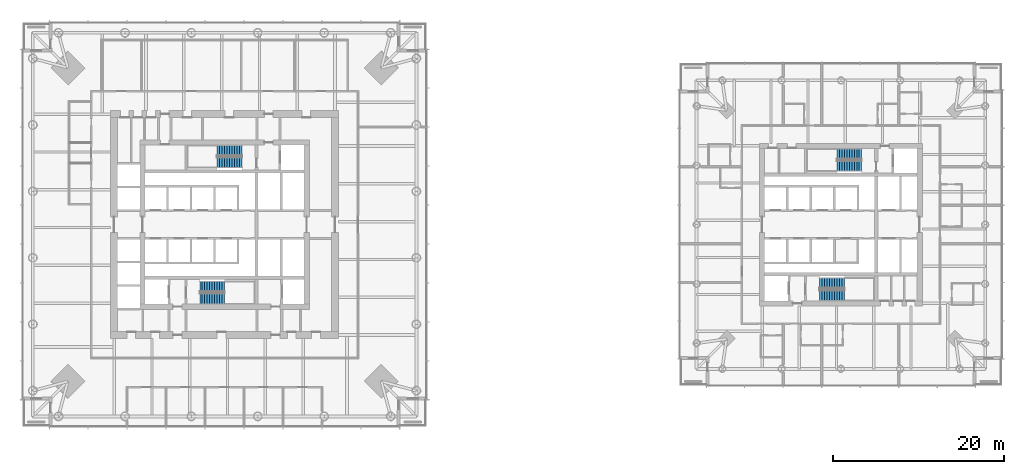
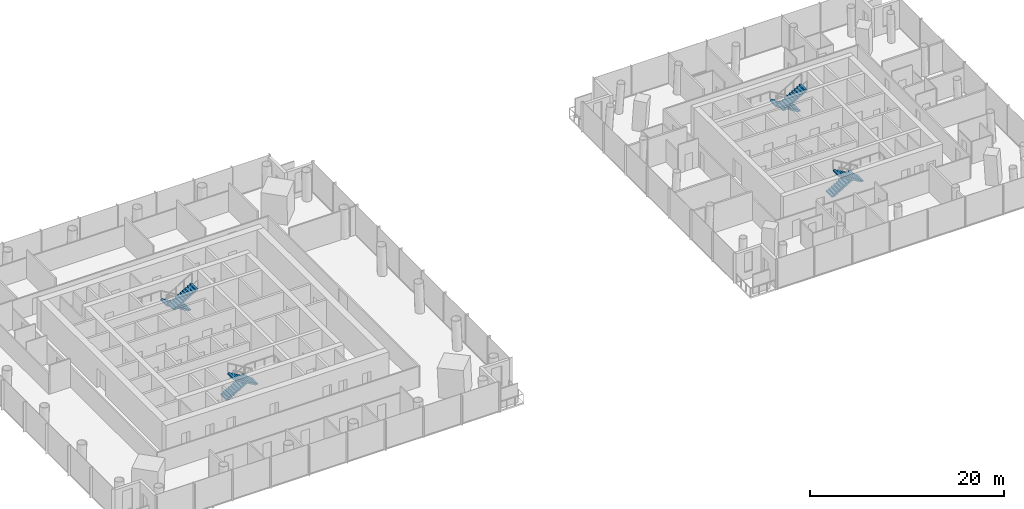
# One storey, part 16 of 18: 8 stair flights, 4 elements without a shape of their own.
"""IFC4 building model written with IfcOpenShell, lengths in metres."""

from ifc_helpers import new_model, si_unit, direction, frame, origin, place, context, subcontext, project, spatial, polyline, outline, extrude, material, type_object, element, aggregate, save


model = new_model("IFC4")

# Units and contexts
model_context = context("Model", 3, precision=1e-05, world=origin(), true_north=direction((0.0, 1.0)))
body_context = subcontext(model_context, "Body", "Model", "MODEL_VIEW")
ifc_project = project(units=[si_unit("LENGTHUNIT", "METRE"), si_unit("AREAUNIT", "SQUARE_METRE"), si_unit("VOLUMEUNIT", "CUBIC_METRE"), si_unit("PLANEANGLEUNIT", "RADIAN"), si_unit("MASSUNIT", "GRAM", prefix="KILO")], contexts=[model_context])

# Site, building, storey
site_placement = place(None, origin())
site = spatial("IfcSite", under=ifc_project, at=site_placement, CompositionType="ELEMENT")
building_placement = place(site_placement, origin())
building = spatial("IfcBuilding", under=site, at=building_placement, Name="Ostroluk Exchange", CompositionType="ELEMENT")
storey_placement = place(building_placement, frame((0.0, 0.0, 70.39990234375)))
storey = spatial("IfcBuildingStorey", under=building, at=storey_placement, Name="L17", CompositionType="ELEMENT", Elevation=70.39990234375)

# Stair, stair flights
ifc_material_1 = material(Name="Concrete C30/37", Category="concrete")
stair_type = type_object("IfcStairType", Name="Exit stair half turn 3800", PredefinedType="HALF_TURN_STAIR", material=ifc_material_1)
stair_1_placement = place(storey_placement, origin())
stair_1 = element("IfcStair", 1, at=stair_1_placement, inside=storey, type_object=stair_type, Name="Stair T1-S1 L17", PredefinedType="HALF_TURN_STAIR")
ifc_material_2 = material(Name="Concrete C30/37", Category="concrete")
stair_flight_type = type_object("IfcStairFlightType", Name="Stair flight 11 risers 172.7 x 290", PredefinedType="STRAIGHT", material=ifc_material_2)
stair_flight_1_placement = place(storey_placement, frame((42.10009765625, 38.77490234375, 0.0), z_axis=(0.0, 0.0, 1.0), x_axis=(1.0, 0.0, 0.0)))
stair_flight_1 = element("IfcStairFlight", 2, at=stair_flight_1_placement, type_object=stair_flight_type, Name="T1-S1 flight 1", NumberOfRisers=11, NumberOfTreads=10, PredefinedType="STRAIGHT", RiserHeight=0.172727273, TreadLength=0.29, context=body_context, shape_type="SweptSolid", body=[
    extrude(outline(polyline([(0.0, 0.0), (0.0, 0.172607421875), (0.2900390625, 0.172607421875), (0.2900390625, 0.345458984375), (0.580078125, 0.345458984375), (0.580078125, 0.51806640625), (0.8701171875, 0.51806640625), (0.8701171875, 0.69091796875), (1.159912109375, 0.69091796875), (1.159912109375, 0.863525390625), (1.449951171875, 0.863525390625), (1.449951171875, 1.036376953125), (1.739990234375, 1.036376953125), (1.739990234375, 1.208984375), (2.030029296875, 1.208984375), (2.030029296875, 1.3818359375), (2.320068359375, 1.3818359375), (2.320068359375, 1.554443359375), (2.610107421875, 1.554443359375), (2.610107421875, 1.727294921875), (2.89990234375, 1.727294921875), (2.89990234375, 1.89990234375), (2.89990234375, 1.552734375), (0.29296875, 0.0), (0.0, 0.0)])), frame((0.0, 0.625, 0.0), z_axis=(0.0, -1.0, 0.0), x_axis=(1.0, 0.0, 0.0)), (0.0, 0.0, 1.0), 1.25),
])
stair_flight_2_placement = place(storey_placement, frame((45.0, 37.324951171875, 1.900146484375), z_axis=(0.0, 0.0, 1.0), x_axis=(-1.0, 0.0, 0.0)))
stair_flight_2 = element("IfcStairFlight", 3, at=stair_flight_2_placement, type_object=stair_flight_type, Name="T1-S1 flight 2", NumberOfRisers=11, NumberOfTreads=10, PredefinedType="STRAIGHT", RiserHeight=0.172727273, TreadLength=0.29, context=body_context, shape_type="SweptSolid", body=[
    extrude(outline(polyline([(0.0, 0.0), (0.0, 0.172607421875), (0.2900390625, 0.172607421875), (0.2900390625, 0.345458984375), (0.580078125, 0.345458984375), (0.580078125, 0.51806640625), (0.8701171875, 0.51806640625), (0.8701171875, 0.69091796875), (1.159912109375, 0.69091796875), (1.159912109375, 0.863525390625), (1.449951171875, 0.863525390625), (1.449951171875, 1.036376953125), (1.739990234375, 1.036376953125), (1.739990234375, 1.208984375), (2.030029296875, 1.208984375), (2.030029296875, 1.3818359375), (2.320068359375, 1.3818359375), (2.320068359375, 1.554443359375), (2.610107421875, 1.554443359375), (2.610107421875, 1.727294921875), (2.89990234375, 1.727294921875), (2.89990234375, 1.89990234375), (2.89990234375, 1.552734375), (0.29296875, 0.0), (0.0, 0.0)])), frame((0.0, 0.625, 0.0), z_axis=(0.0, -1.0, 0.0), x_axis=(1.0, 0.0, 0.0)), (0.0, 0.0, 1.0), 1.25),
])
aggregate(stair_1, [stair_flight_1, stair_flight_2])

stair_2_placement = place(storey_placement, origin())
stair_2 = element("IfcStair", 4, at=stair_2_placement, inside=storey, type_object=stair_type, Name="Stair T1-S2 L17", PredefinedType="HALF_TURN_STAIR")
stair_flight_3_placement = place(storey_placement, frame((47.030029296875, 54.675048828125, 0.0), z_axis=(0.0, 0.0, 1.0), x_axis=(-1.0, 0.0, 0.0)))
stair_flight_3 = element("IfcStairFlight", 5, at=stair_flight_3_placement, type_object=stair_flight_type, Name="T1-S2 flight 1", NumberOfRisers=11, NumberOfTreads=10, PredefinedType="STRAIGHT", RiserHeight=0.172727273, TreadLength=0.29, context=body_context, shape_type="SweptSolid", body=[
    extrude(outline(polyline([(0.0, 0.0), (0.0, 0.172607421875), (0.2900390625, 0.172607421875), (0.2900390625, 0.345458984375), (0.580078125, 0.345458984375), (0.580078125, 0.51806640625), (0.8701171875, 0.51806640625), (0.8701171875, 0.69091796875), (1.159912109375, 0.69091796875), (1.159912109375, 0.863525390625), (1.449951171875, 0.863525390625), (1.449951171875, 1.036376953125), (1.739990234375, 1.036376953125), (1.739990234375, 1.208984375), (2.030029296875, 1.208984375), (2.030029296875, 1.3818359375), (2.320068359375, 1.3818359375), (2.320068359375, 1.554443359375), (2.610107421875, 1.554443359375), (2.610107421875, 1.727294921875), (2.89990234375, 1.727294921875), (2.89990234375, 1.89990234375), (2.89990234375, 1.552734375), (0.29296875, 0.0), (0.0, 0.0)])), frame((0.0, 0.625, 0.0), z_axis=(0.0, -1.0, 0.0), x_axis=(1.0, 0.0, 0.0)), (0.0, 0.0, 1.0), 1.25),
])
stair_flight_4_placement = place(storey_placement, frame((44.1298828125, 53.22509765625, 1.900146484375), z_axis=(0.0, 0.0, 1.0), x_axis=(1.0, 0.0, 0.0)))
stair_flight_4 = element("IfcStairFlight", 6, at=stair_flight_4_placement, type_object=stair_flight_type, Name="T1-S2 flight 2", NumberOfRisers=11, NumberOfTreads=10, PredefinedType="STRAIGHT", RiserHeight=0.172727273, TreadLength=0.29, context=body_context, shape_type="SweptSolid", body=[
    extrude(outline(polyline([(0.0, 0.0), (0.0, 0.172607421875), (0.2900390625, 0.172607421875), (0.2900390625, 0.345458984375), (0.580078125, 0.345458984375), (0.580078125, 0.51806640625), (0.8701171875, 0.51806640625), (0.8701171875, 0.69091796875), (1.159912109375, 0.69091796875), (1.159912109375, 0.863525390625), (1.449951171875, 0.863525390625), (1.449951171875, 1.036376953125), (1.739990234375, 1.036376953125), (1.739990234375, 1.208984375), (2.030029296875, 1.208984375), (2.030029296875, 1.3818359375), (2.320068359375, 1.3818359375), (2.320068359375, 1.554443359375), (2.610107421875, 1.554443359375), (2.610107421875, 1.727294921875), (2.89990234375, 1.727294921875), (2.89990234375, 1.89990234375), (2.89990234375, 1.552734375), (0.29296875, 0.0), (0.0, 0.0)])), frame((0.0, 0.625, 0.0), z_axis=(0.0, -1.0, 0.0), x_axis=(1.0, 0.0, 0.0)), (0.0, 0.0, 1.0), 1.25),
])
aggregate(stair_2, [stair_flight_3, stair_flight_4])

stair_3_placement = place(storey_placement, origin())
stair_3 = element("IfcStair", 7, at=stair_3_placement, inside=storey, type_object=stair_type, Name="Stair T2-S1 L17", PredefinedType="HALF_TURN_STAIR")
stair_flight_5_placement = place(storey_placement, frame((114.5, 39.175048828125, 0.0), z_axis=(0.0, 0.0, 1.0), x_axis=(1.0, 0.0, 0.0)))
stair_flight_5 = element("IfcStairFlight", 8, at=stair_flight_5_placement, type_object=stair_flight_type, Name="T2-S1 flight 1", NumberOfRisers=11, NumberOfTreads=10, PredefinedType="STRAIGHT", RiserHeight=0.172727273, TreadLength=0.29, context=body_context, shape_type="SweptSolid", body=[
    extrude(outline(polyline([(0.0, 0.0), (0.0, 0.172607421875), (0.2900390625, 0.172607421875), (0.2900390625, 0.345458984375), (0.580078125, 0.345458984375), (0.580078125, 0.51806640625), (0.8701171875, 0.51806640625), (0.8701171875, 0.69091796875), (1.159912109375, 0.69091796875), (1.159912109375, 0.863525390625), (1.449951171875, 0.863525390625), (1.449951171875, 1.036376953125), (1.739990234375, 1.036376953125), (1.739990234375, 1.208984375), (2.030029296875, 1.208984375), (2.030029296875, 1.3818359375), (2.320068359375, 1.3818359375), (2.320068359375, 1.554443359375), (2.610107421875, 1.554443359375), (2.610107421875, 1.727294921875), (2.89990234375, 1.727294921875), (2.89990234375, 1.89990234375), (2.89990234375, 1.552734375), (0.29296875, 0.0), (0.0, 0.0)])), frame((0.0, 0.625, 0.0), z_axis=(0.0, -1.0, 0.0), x_axis=(1.0, 0.0, 0.0)), (0.0, 0.0, 1.0), 1.25),
])
stair_flight_6_placement = place(storey_placement, frame((117.39990234375, 37.72509765625, 1.900146484375), z_axis=(0.0, 0.0, 1.0), x_axis=(-1.0, 0.0, 0.0)))
stair_flight_6 = element("IfcStairFlight", 9, at=stair_flight_6_placement, type_object=stair_flight_type, Name="T2-S1 flight 2", NumberOfRisers=11, NumberOfTreads=10, PredefinedType="STRAIGHT", RiserHeight=0.172727273, TreadLength=0.29, context=body_context, shape_type="SweptSolid", body=[
    extrude(outline(polyline([(0.0, 0.0), (0.0, 0.172607421875), (0.2900390625, 0.172607421875), (0.2900390625, 0.345458984375), (0.580078125, 0.345458984375), (0.580078125, 0.51806640625), (0.8701171875, 0.51806640625), (0.8701171875, 0.69091796875), (1.159912109375, 0.69091796875), (1.159912109375, 0.863525390625), (1.449951171875, 0.863525390625), (1.449951171875, 1.036376953125), (1.739990234375, 1.036376953125), (1.739990234375, 1.208984375), (2.030029296875, 1.208984375), (2.030029296875, 1.3818359375), (2.320068359375, 1.3818359375), (2.320068359375, 1.554443359375), (2.610107421875, 1.554443359375), (2.610107421875, 1.727294921875), (2.89990234375, 1.727294921875), (2.89990234375, 1.89990234375), (2.89990234375, 1.552734375), (0.29296875, 0.0), (0.0, 0.0)])), frame((0.0, 0.625, 0.0), z_axis=(0.0, -1.0, 0.0), x_axis=(1.0, 0.0, 0.0)), (0.0, 0.0, 1.0), 1.25),
])
aggregate(stair_3, [stair_flight_5, stair_flight_6])

stair_4_placement = place(storey_placement, origin())
stair_4 = element("IfcStair", 10, at=stair_4_placement, inside=storey, type_object=stair_type, Name="Stair T2-S2 L17", PredefinedType="HALF_TURN_STAIR")
stair_flight_7_placement = place(storey_placement, frame((119.429931640625, 54.27490234375, 0.0), z_axis=(0.0, 0.0, 1.0), x_axis=(-1.0, 0.0, 0.0)))
stair_flight_7 = element("IfcStairFlight", 11, at=stair_flight_7_placement, type_object=stair_flight_type, Name="T2-S2 flight 1", NumberOfRisers=11, NumberOfTreads=10, PredefinedType="STRAIGHT", RiserHeight=0.172727273, TreadLength=0.29, context=body_context, shape_type="SweptSolid", body=[
    extrude(outline(polyline([(0.0, 0.0), (0.0, 0.172607421875), (0.2900390625, 0.172607421875), (0.2900390625, 0.345458984375), (0.580078125, 0.345458984375), (0.580078125, 0.51806640625), (0.8701171875, 0.51806640625), (0.8701171875, 0.69091796875), (1.159912109375, 0.69091796875), (1.159912109375, 0.863525390625), (1.449951171875, 0.863525390625), (1.449951171875, 1.036376953125), (1.739990234375, 1.036376953125), (1.739990234375, 1.208984375), (2.030029296875, 1.208984375), (2.030029296875, 1.3818359375), (2.320068359375, 1.3818359375), (2.320068359375, 1.554443359375), (2.610107421875, 1.554443359375), (2.610107421875, 1.727294921875), (2.89990234375, 1.727294921875), (2.89990234375, 1.89990234375), (2.89990234375, 1.552734375), (0.29296875, 0.0), (0.0, 0.0)])), frame((0.0, 0.625, 0.0), z_axis=(0.0, -1.0, 0.0), x_axis=(1.0, 0.0, 0.0)), (0.0, 0.0, 1.0), 1.25),
])
stair_flight_8_placement = place(storey_placement, frame((116.530029296875, 52.824951171875, 1.900146484375), z_axis=(0.0, 0.0, 1.0), x_axis=(1.0, 0.0, 0.0)))
stair_flight_8 = element("IfcStairFlight", 12, at=stair_flight_8_placement, type_object=stair_flight_type, Name="T2-S2 flight 2", NumberOfRisers=11, NumberOfTreads=10, PredefinedType="STRAIGHT", RiserHeight=0.172727273, TreadLength=0.29, context=body_context, shape_type="SweptSolid", body=[
    extrude(outline(polyline([(0.0, 0.0), (0.0, 0.172607421875), (0.2900390625, 0.172607421875), (0.2900390625, 0.345458984375), (0.580078125, 0.345458984375), (0.580078125, 0.51806640625), (0.8701171875, 0.51806640625), (0.8701171875, 0.69091796875), (1.159912109375, 0.69091796875), (1.159912109375, 0.863525390625), (1.449951171875, 0.863525390625), (1.449951171875, 1.036376953125), (1.739990234375, 1.036376953125), (1.739990234375, 1.208984375), (2.030029296875, 1.208984375), (2.030029296875, 1.3818359375), (2.320068359375, 1.3818359375), (2.320068359375, 1.554443359375), (2.610107421875, 1.554443359375), (2.610107421875, 1.727294921875), (2.89990234375, 1.727294921875), (2.89990234375, 1.89990234375), (2.89990234375, 1.552734375), (0.29296875, 0.0), (0.0, 0.0)])), frame((0.0, 0.625, 0.0), z_axis=(0.0, -1.0, 0.0), x_axis=(1.0, 0.0, 0.0)), (0.0, 0.0, 1.0), 1.25),
])
aggregate(stair_4, [stair_flight_7, stair_flight_8])

save(model, "model.ifc")
